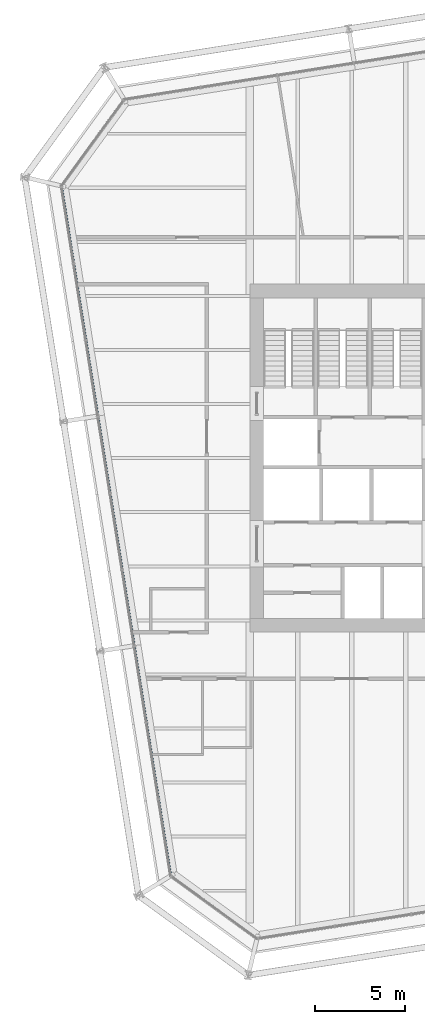
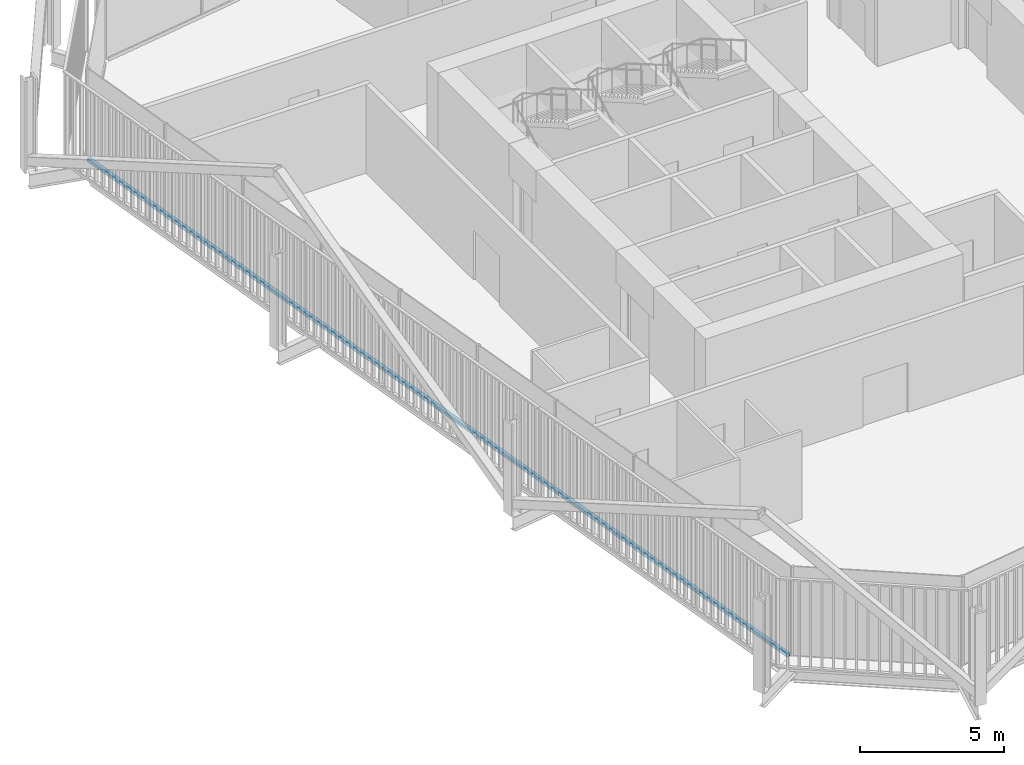
# One storey, part 5 of 22: 1 member, 1 element without a shape of its own.
"""IFC4 building model written with IfcOpenShell, lengths in metres."""

from ifc_helpers import new_model, si_unit, direction, frame, origin, origin_2d, place, context, subcontext, project, spatial, rectangle, extrude, material, layer, layer_set, material_profile, profile_set, type_object, element, aggregate, save


model = new_model("IFC4")

# Units and contexts
model_context = context("Model", 3, precision=1e-05, world=origin(), true_north=direction((0.0, 1.0)))
body_context = subcontext(model_context, "Body", "Model", "MODEL_VIEW")
ifc_project = project(units=[si_unit("LENGTHUNIT", "METRE"), si_unit("AREAUNIT", "SQUARE_METRE"), si_unit("VOLUMEUNIT", "CUBIC_METRE"), si_unit("PLANEANGLEUNIT", "RADIAN"), si_unit("MASSUNIT", "GRAM", prefix="KILO")], contexts=[model_context])

# Site, building, storey
site_placement = place(None, origin())
site = spatial("IfcSite", under=ifc_project, at=site_placement, CompositionType="ELEMENT")
building_placement = place(site_placement, origin())
building = spatial("IfcBuilding", under=site, at=building_placement, Name="Millrace Tower", CompositionType="ELEMENT")
storey_placement = place(building_placement, frame((0.0, 0.0, 152.89990234375)))
storey = spatial("IfcBuildingStorey", under=building, at=storey_placement, Name="L34", CompositionType="ELEMENT", Elevation=152.89990234375)

# Curtain wall, member
ifc_material_1 = material(Name="Aluminium and glass", Category="aluminium")
ifc_layer = layer(ifc_material_1, 0.14990234375)
ifc_layer_set = layer_set([ifc_layer], Name="Aluminium and glass")
curtain_wall_type = type_object("IfcCurtainWallType", Name="CW-1 office vision curtain wall", PredefinedType="NOTDEFINED", material=ifc_layer_set)
curtain_wall_placement = place(storey_placement, origin())
curtain_wall = element("IfcCurtainWall", 1, at=curtain_wall_placement, inside=storey, type_object=curtain_wall_type, Name="Curtain wall C-F08 L34", PredefinedType="NOTDEFINED")
ifc_material_2 = material(Name="Aluminium", Category="aluminium")
ifc_material_profile = material_profile(ifc_material_2, rectangle(XDim=0.14990234375, YDim=0.139892578125, at=origin_2d()))
ifc_profile_set = profile_set([ifc_material_profile], Name="Aluminium")
member_type = type_object("IfcMemberType", Name="CW-1 office vision curtain wall transom", PredefinedType="USERDEFINED", material=ifc_profile_set)
member_placement = place(storey_placement, frame((-25.09619140625, 14.97509765625, 0.070068359375), z_axis=(0.156433422663, -0.987688505691, 0.0), x_axis=(0.987688505691, 0.156433422663, 0.0)))
member = element("IfcMember", 2, at=member_placement, type_object=member_type, Name="CW1 transom C-F08.1", ObjectType="TRANSOM", PredefinedType="USERDEFINED", context=body_context, shape_type="SweptSolid", body=[
    extrude(rectangle(XDim=0.14990234375, YDim=0.139892578125, at=origin_2d()), origin(), (0.0, 0.0, 1.0), 38.5),
])
aggregate(curtain_wall, [member])

save(model, "model.ifc")
